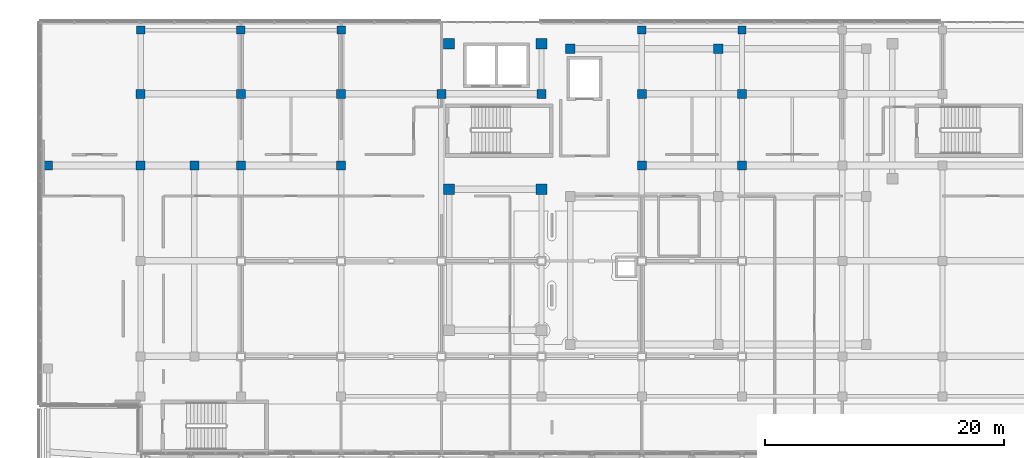
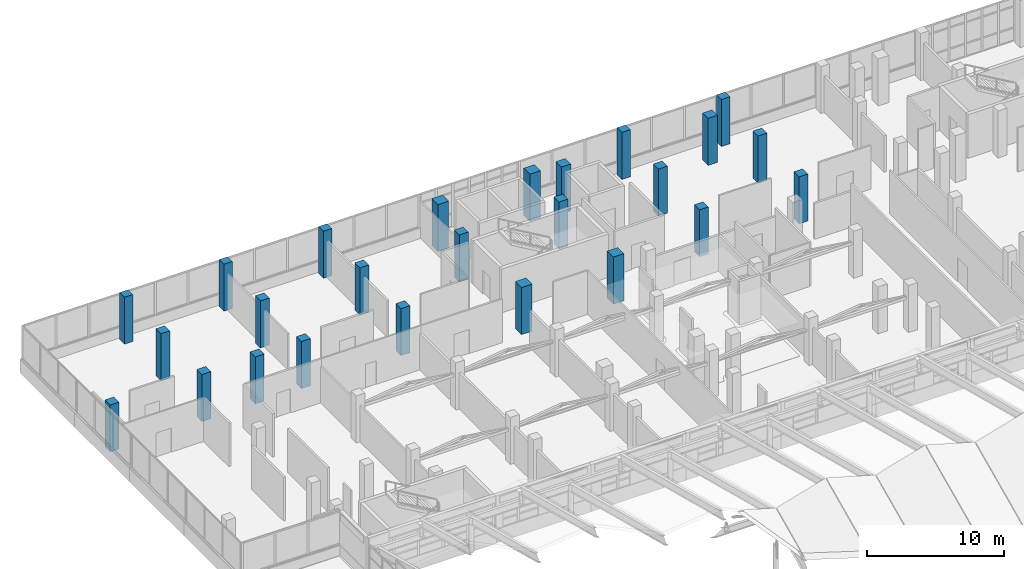
# One storey, part 9 of 184: 25 columns.
"""IFC4 building model written with IfcOpenShell, lengths in metres."""

from ifc_helpers import new_model, si_unit, direction, frame, origin, origin_2d, place, context, subcontext, project, spatial, rectangle, extrude, material, material_profile, profile_set, type_object, element, save


model = new_model("IFC4")

# Units and contexts
model_context = context("Model", 3, precision=1e-05, world=origin(), true_north=direction((0.0, 1.0)))
body_context = subcontext(model_context, "Body", "Model", "MODEL_VIEW")
ifc_project = project(units=[si_unit("LENGTHUNIT", "METRE"), si_unit("AREAUNIT", "SQUARE_METRE"), si_unit("VOLUMEUNIT", "CUBIC_METRE"), si_unit("PLANEANGLEUNIT", "RADIAN"), si_unit("MASSUNIT", "GRAM", prefix="KILO")], contexts=[model_context])

# Site, building, storey
site_placement = place(None, origin())
site = spatial("IfcSite", under=ifc_project, at=site_placement, CompositionType="ELEMENT")
building_placement = place(site_placement, origin())
building = spatial("IfcBuilding", under=site, at=building_placement, Name="Selatvlak General Hospital", CompositionType="ELEMENT")
storey_placement = place(building_placement, frame((0.0, 0.0, 15.0)))
storey = spatial("IfcBuildingStorey", under=building, at=storey_placement, Name="L03", CompositionType="ELEMENT", Elevation=15.0)

# Columns
ifc_material_1 = material(Name="Concrete C40/50", Category="concrete")
ifc_material_profile_1 = material_profile(ifc_material_1, rectangle(XDim=0.699951171875, YDim=0.699951171875, at=origin_2d()), Name="RC-COL 700x700")
ifc_profile_set_1 = profile_set([ifc_material_profile_1], Name="Concrete C40/50")
column_type_1 = type_object("IfcColumnType", Name="COL-RC70", PredefinedType="COLUMN", material=ifc_profile_set_1)
for number, where, z_axis, x_axis, name in (
    (1, (22.800048828125, 119.35009765625, 0.0), (0.0, 0.0, 1.0), (1.0, 0.0, 0.0), "Column 163 on L03"),
    (2, (31.199951171875, 119.35009765625, 0.0), (0.0, 0.0, 1.0), (1.0, 0.0, 0.0), "Column 169 on L03"),
    (3, (39.60009765625, 119.35009765625, 0.0), (0.0, 0.0, 1.0), (1.0, 0.0, 0.0), "Column 175 on L03"),
    (4, (64.800048828125, 119.35009765625, 0.0), (0.0, 0.0, 1.0), (1.0, 0.0, 0.0), "Column 191 on L03"),
    (5, (73.199951171875, 119.35009765625, 0.0), (0.0, 0.0, 1.0), (1.0, 0.0, 0.0), "Column 197 on L03"),
):
    element("IfcColumn", number, at=place(storey_placement, frame(where, z_axis=z_axis, x_axis=x_axis)), inside=storey, type_object=column_type_1, Name=name, PredefinedType="COLUMN", context=body_context, shape_type="SweptSolid", body=[
        extrude(rectangle(XDim=0.699951171875, YDim=0.699951171875, at=origin_2d()), origin(), (0.0, 0.0, 1.0), 4.199951171875),
    ])
ifc_material_2 = material(Name="Concrete C50/60", Category="concrete")
ifc_material_profile_2 = material_profile(ifc_material_2, rectangle(XDim=0.75, YDim=0.75, at=origin_2d()), Name="RC-COL 750x750")
ifc_profile_set_2 = profile_set([ifc_material_profile_2], Name="Concrete C50/60")
column_type_2 = type_object("IfcColumnType", Name="COL-RC75", PredefinedType="COLUMN", material=ifc_profile_set_2)
for number, where, z_axis, x_axis, name in (
    (6, (27.300048828125, 108.0, 0.0), (0.0, 0.0, 1.0), (1.0, 0.0, 0.0), "Column 112 on L03"),
    (7, (15.050048828125, 108.0, 0.0), (0.0, 0.0, 1.0), (1.0, 0.0, 0.0), "Column 156 on L03"),
    (8, (22.800048828125, 108.0, 0.0), (0.0, 0.0, 1.0), (1.0, 0.0, 0.0), "Column 161 on L03"),
    (9, (22.800048828125, 114.0, 0.0), (0.0, 0.0, 1.0), (1.0, 0.0, 0.0), "Column 162 on L03"),
    (10, (31.199951171875, 108.0, 0.0), (0.0, 0.0, 1.0), (1.0, 0.0, 0.0), "Column 167 on L03"),
    (11, (31.199951171875, 114.0, 0.0), (0.0, 0.0, 1.0), (1.0, 0.0, 0.0), "Column 168 on L03"),
    (12, (39.60009765625, 108.0, 0.0), (0.0, 0.0, 1.0), (1.0, 0.0, 0.0), "Column 173 on L03"),
    (13, (39.60009765625, 114.0, 0.0), (0.0, 0.0, 1.0), (1.0, 0.0, 0.0), "Column 174 on L03"),
    (14, (48.0, 114.0, 0.0), (0.0, 0.0, 1.0), (1.0, 0.0, 0.0), "Column 180 on L03"),
    (15, (56.39990234375, 114.0, 0.0), (0.0, 0.0, 1.0), (1.0, 0.0, 0.0), "Column 184 on L03"),
    (16, (64.800048828125, 108.0, 0.0), (0.0, 0.0, 1.0), (1.0, 0.0, 0.0), "Column 189 on L03"),
    (17, (64.800048828125, 114.0, 0.0), (0.0, 0.0, 1.0), (1.0, 0.0, 0.0), "Column 190 on L03"),
    (18, (73.199951171875, 108.0, 0.0), (0.0, 0.0, 1.0), (1.0, 0.0, 0.0), "Column 195 on L03"),
    (19, (73.199951171875, 114.0, 0.0), (0.0, 0.0, 1.0), (1.0, 0.0, 0.0), "Column 196 on L03"),
):
    element("IfcColumn", number, at=place(storey_placement, frame(where, z_axis=z_axis, x_axis=x_axis)), inside=storey, type_object=column_type_2, Name=name, PredefinedType="COLUMN", context=body_context, shape_type="SweptSolid", body=[
        extrude(rectangle(XDim=0.75, YDim=0.75, at=origin_2d()), origin(), (0.0, 0.0, 1.0), 4.199951171875),
    ])
ifc_material_profile_3 = material_profile(ifc_material_2, rectangle(XDim=0.800048828125, YDim=0.800048828125, at=origin_2d()), Name="RC-COL 800x800")
ifc_profile_set_3 = profile_set([ifc_material_profile_3], Name="Concrete C50/60")
column_type_3 = type_object("IfcColumnType", Name="COL-RC80", PredefinedType="COLUMN", material=ifc_profile_set_3)
for number, where, z_axis, x_axis, name in (
    (20, (58.800048828125, 117.800048828125, 0.0), (0.0, 0.0, 1.0), (1.0, 0.0, 0.0), "Column 039 on L03"),
    (21, (71.199951171875, 117.800048828125, 0.0), (0.0, 0.0, 1.0), (1.0, 0.0, 0.0), "Column 042 on L03"),
):
    element("IfcColumn", number, at=place(storey_placement, frame(where, z_axis=z_axis, x_axis=x_axis)), inside=storey, type_object=column_type_3, Name=name, PredefinedType="COLUMN", context=body_context, shape_type="SweptSolid", body=[
        extrude(rectangle(XDim=0.800048828125, YDim=0.800048828125, at=origin_2d()), origin(), (0.0, 0.0, 1.0), 4.199951171875),
    ])
ifc_material_profile_4 = material_profile(ifc_material_2, rectangle(XDim=0.89990234375, YDim=0.89990234375, at=origin_2d()), Name="RC-COL 900x900")
ifc_profile_set_4 = profile_set([ifc_material_profile_4], Name="Concrete C50/60")
column_type_4 = type_object("IfcColumnType", Name="COL-RC90", PredefinedType="COLUMN", material=ifc_profile_set_4)
for number, where, z_axis, x_axis, name in (
    (22, (48.64990234375, 106.0, 0.0), (0.0, 0.0, 1.0), (1.0, 0.0, 0.0), "Column 048 on L03"),
    (23, (56.39990234375, 106.0, 0.0), (0.0, 0.0, 1.0), (1.0, 0.0, 0.0), "Column 049 on L03"),
    (24, (48.64990234375, 118.199951171875, 0.0), (0.0, 0.0, 1.0), (1.0, 0.0, 0.0), "Column 050 on L03"),
    (25, (56.39990234375, 118.199951171875, 0.0), (0.0, 0.0, 1.0), (1.0, 0.0, 0.0), "Column 051 on L03"),
):
    element("IfcColumn", number, at=place(storey_placement, frame(where, z_axis=z_axis, x_axis=x_axis)), inside=storey, type_object=column_type_4, Name=name, PredefinedType="COLUMN", context=body_context, shape_type="SweptSolid", body=[
        extrude(rectangle(XDim=0.89990234375, YDim=0.89990234375, at=origin_2d()), origin(), (0.0, 0.0, 1.0), 4.199951171875),
    ])

save(model, "model.ifc")
